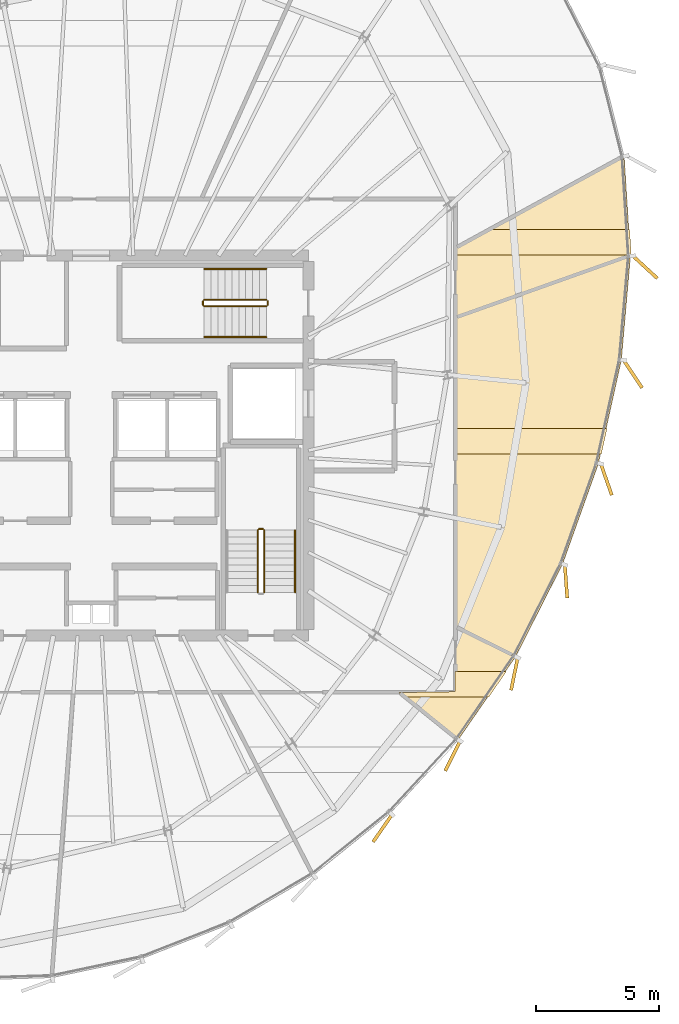
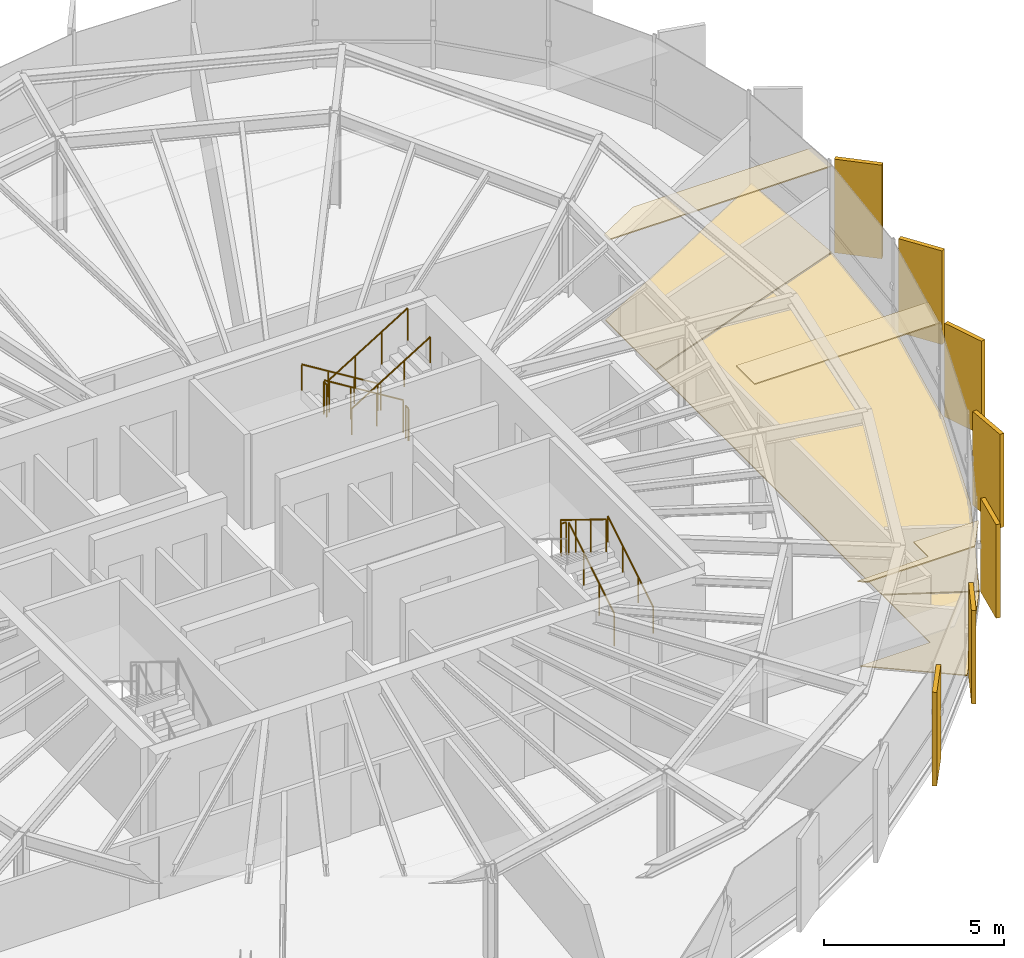
# One storey, part 35 of 36: 13 coverings, 10 railings.
"""IFC4 building model written with IfcOpenShell, lengths in metres."""

from ifc_helpers import new_model, si_unit, direction, frame, origin, origin_2d, place, context, subcontext, project, spatial, polyline, rectangle, circle, outline, extrude, source, transform, mapped, material, layer, layer_set, type_object, element, save


model = new_model("IFC4")

# Units and contexts
model_context = context("Model", 3, precision=1e-05, world=origin(), true_north=direction((0.0, 1.0)))
body_context = subcontext(model_context, "Body", "Model", "MODEL_VIEW")
ifc_project = project(units=[si_unit("LENGTHUNIT", "METRE"), si_unit("AREAUNIT", "SQUARE_METRE"), si_unit("VOLUMEUNIT", "CUBIC_METRE"), si_unit("PLANEANGLEUNIT", "RADIAN"), si_unit("MASSUNIT", "GRAM", prefix="KILO"), si_unit("THERMODYNAMICTEMPERATUREUNIT", "KELVIN")], contexts=[model_context])

# Site, building, storey
site_placement = place(None, origin())
site = spatial("IfcSite", under=ifc_project, at=site_placement, CompositionType="ELEMENT")
building_placement = place(site_placement, origin())
building = spatial("IfcBuilding", under=site, at=building_placement, Name="Kethvar Cultural Tower", CompositionType="ELEMENT")
storey_placement = place(building_placement, frame((0.0, 0.0, 242.199951171875)))
storey = spatial("IfcBuildingStorey", under=building, at=storey_placement, Name="L63", CompositionType="ELEMENT", Elevation=242.199951171875)

# Coverings
ifc_material_1 = material(Name="Acoustic Mineral Fibre Ceiling")
ifc_layer_1 = layer(ifc_material_1, 0.0400390625, Name="Acoustic Mineral Fibre Ceiling")
ifc_layer_set_1 = layer_set([ifc_layer_1], Name="Acoustic Mineral Fibre Ceiling (40 mm)")
covering_type_1 = type_object("IfcCoveringType", Name="CV-ACOUSTIC-CEIL", PredefinedType="CEILING", material=ifc_layer_set_1)
covering_1_placement = place(storey_placement, frame((0.0, 0.0, 2.89013671875)))
element("IfcCovering", 1, at=covering_1_placement, inside=storey, type_object=covering_type_1, Name="L63 Room 06 Acoustic Ceiling Panel", PredefinedType="CEILING", context=body_context, shape_type="SweptSolid", body=[
    extrude(outline(polyline([(59.260986328125, 17.79150390625), (61.5439453125, 17.826904296875), (61.5439453125, 18.650390625), (63.63232421875, 18.650390625), (62.920654296875, 17.620361328125), (59.474365234375, 17.620361328125), (59.260986328125, 17.79150390625)])), origin(), (0.0, 0.0, 1.0), 0.039794921875),
])
covering_2_placement = place(storey_placement, frame((0.0, 0.0, 2.89013671875)))
element("IfcCovering", 2, at=covering_2_placement, inside=storey, type_object=covering_type_1, Name="L63 Room 07 Acoustic Ceiling Panel", PredefinedType="CEILING", context=body_context, shape_type="SweptSolid", body=[
    extrude(outline(polyline([(67.478759765625, 27.459716796875), (61.5439453125, 27.459716796875), (61.5439453125, 28.48974609375), (67.707275390625, 28.48974609375), (67.478759765625, 27.459716796875)])), origin(), (0.0, 0.0, 1.0), 0.039794921875),
])
covering_3_placement = place(storey_placement, frame((0.0, 0.0, 2.89013671875)))
element("IfcCovering", 3, at=covering_3_placement, inside=storey, type_object=covering_type_1, Name="L63 Room 08 Acoustic Ceiling Panel", PredefinedType="CEILING", context=body_context, shape_type="SweptSolid", body=[
    extrude(outline(polyline([(61.5439453125, 35.80859375), (62.9052734375, 36.558837890625), (68.624267578125, 36.558837890625), (68.689697265625, 35.52880859375), (61.5439453125, 35.52880859375), (61.5439453125, 35.80859375)])), origin(), (0.0, 0.0, 1.0), 0.039794921875),
])
ifc_material_2 = material(Name="Honed Warm Limestone", Category="masonry")
ifc_layer_2 = layer(ifc_material_2, 0.030029296875, Name="Honed Warm Limestone", Category="masonry")
ifc_layer_set_2 = layer_set([ifc_layer_2], Name="Honed Warm Limestone (30 mm)")
covering_type_2 = type_object("IfcCoveringType", Name="CV-STONE-FLOOR", PredefinedType="FLOORING", material=ifc_layer_set_2)
covering_4_placement = place(storey_placement, origin())
element("IfcCovering", 4, at=covering_4_placement, inside=storey, type_object=covering_type_2, Name="L63 Room 06 Floor Finish", PredefinedType="FLOORING", context=body_context, shape_type="SweptSolid", body=[
    extrude(outline(polyline([(61.68408203125, 15.901123046875), (59.330322265625, 17.787109375), (61.57958984375, 17.794189453125), (61.583984375, 20.429443359375), (63.987548828125, 19.23486328125), (61.68408203125, 15.901123046875)])), origin(), (0.0, 0.0, 1.0), 0.030029296875),
])
covering_5_placement = place(storey_placement, origin())
element("IfcCovering", 5, at=covering_5_placement, inside=storey, type_object=covering_type_2, Name="L63 Room 07 Floor Finish", PredefinedType="FLOORING", context=body_context, shape_type="SweptSolid", body=[
    extrude(outline(polyline([(68.28369140625, 31.2705078125), (67.347412109375, 27.052978515625), (65.902587890625, 23.003173828125), (64.00830078125, 19.26904296875), (61.583984375, 20.47412109375), (61.583984375, 32.9755859375), (68.649658203125, 35.459228515625), (68.28369140625, 31.2705078125)])), origin(), (0.0, 0.0, 1.0), 0.030029296875),
])
covering_6_placement = place(storey_placement, origin())
element("IfcCovering", 6, at=covering_6_placement, inside=storey, type_object=covering_type_2, Name="L63 Room 08 Floor Finish", PredefinedType="FLOORING", context=body_context, shape_type="SweptSolid", body=[
    extrude(outline(polyline([(68.6513671875, 35.502197265625), (61.583984375, 33.01806640625), (61.583984375, 35.796630859375), (68.39794921875, 39.492919921875), (68.6513671875, 35.502197265625)])), origin(), (0.0, 0.0, 1.0), 0.030029296875),
])

# Railings
ifc_material_3 = material(Name="Steel S355J2", Category="steel")
railing_type_1 = type_object("IfcRailingType", Name="RL-STAIR-GUARD", PredefinedType="BALUSTRADE", material=ifc_material_3)
railing_1_placement = place(storey_placement, frame((53.81005859375, 21.85009765625, 0.172607421875)))
element("IfcRailing", 7, at=railing_1_placement, inside=storey, type_object=railing_type_1, Name="L63 ST-02 stair guard 1", PredefinedType="BALUSTRADE", context=body_context, shape_type="SweptSolid", body=[
    extrude(circle(Radius=0.02392578125, at=origin_2d()), frame((0.0, 0.0, 1.09619140625), z_axis=(0.0, 0.851400495292, 0.524516154772), x_axis=(-1.0, 0.0, 0.0)), (0.0, 0.0, 1.0), 2.9599609375),
    extrude(circle(Radius=0.02099609375, at=origin_2d()), origin(), (0.0, 0.0, 1.0), 1.072021484375),
    extrude(circle(Radius=0.02099609375, at=origin_2d()), frame((0.0, 0.840087890625, 0.517578125)), (0.0, 0.0, 1.0), 1.072021484375),
    extrude(circle(Radius=0.02099609375, at=origin_2d()), frame((0.0, 1.679931640625, 1.034912109375)), (0.0, 0.0, 1.0), 1.072021484375),
    extrude(circle(Radius=0.02099609375, at=origin_2d()), frame((0.0, 2.52001953125, 1.552490234375)), (0.0, 0.0, 1.0), 1.072021484375),
])
railing_2_placement = place(storey_placement, frame((53.760009765625, 24.419921875, 1.72509765625)))
element("IfcRailing", 8, at=railing_2_placement, inside=storey, type_object=railing_type_1, Name="L63 ST-02 stair guard 2", PredefinedType="BALUSTRADE", context=body_context, shape_type="SweptSolid", body=[
    extrude(circle(Radius=0.02392578125, at=origin_2d()), frame((0.0, 0.0, 1.09619140625), z_axis=(-1.0, 0.0, 0.0), x_axis=(0.0, -1.0, 0.0)), (0.0, 0.0, 1.0), 0.159912109375),
    extrude(circle(Radius=0.02099609375, at=origin_2d()), origin(), (0.0, 0.0, 1.0), 1.072021484375),
    extrude(circle(Radius=0.02099609375, at=origin_2d()), frame((-0.159912109375, 0.0, 0.0)), (0.0, 0.0, 1.0), 1.072021484375),
])
railing_3_placement = place(storey_placement, frame((53.550048828125, 24.3701171875, 1.8974609375)))
element("IfcRailing", 9, at=railing_3_placement, inside=storey, type_object=railing_type_1, Name="L63 ST-02 stair guard 3", PredefinedType="BALUSTRADE", context=body_context, shape_type="SweptSolid", body=[
    extrude(circle(Radius=0.02392578125, at=origin_2d()), frame((0.0, 0.0, 1.09619140625), z_axis=(0.0, -0.851400495292, 0.524516154772), x_axis=(1.0, 0.0, 0.0)), (0.0, 0.0, 1.0), 2.9599609375),
    extrude(circle(Radius=0.02099609375, at=origin_2d()), origin(), (0.0, 0.0, 1.0), 1.072021484375),
    extrude(circle(Radius=0.02099609375, at=origin_2d()), frame((0.0, -0.840087890625, 0.517578125)), (0.0, 0.0, 1.0), 1.072021484375),
    extrude(circle(Radius=0.02099609375, at=origin_2d()), frame((0.0, -1.679931640625, 1.034912109375)), (0.0, 0.0, 1.0), 1.072021484375),
    extrude(circle(Radius=0.02099609375, at=origin_2d()), frame((0.0, -2.52001953125, 1.552490234375)), (0.0, 0.0, 1.0), 1.072021484375),
])
railing_4_placement = place(storey_placement, frame((53.89990234375, 33.7099609375, 0.172607421875)))
element("IfcRailing", 10, at=railing_4_placement, inside=storey, type_object=railing_type_1, Name="L63 ST-03 stair guard 1", PredefinedType="BALUSTRADE", context=body_context, shape_type="SweptSolid", body=[
    extrude(circle(Radius=0.02392578125, at=origin_2d()), frame((0.0, 0.0, 1.09619140625), z_axis=(-0.851400495292, 0.0, 0.524516154772), x_axis=(0.0, -1.0, 0.0)), (0.0, 0.0, 1.0), 2.9599609375),
    extrude(circle(Radius=0.02099609375, at=origin_2d()), origin(), (0.0, 0.0, 1.0), 1.072021484375),
    extrude(circle(Radius=0.02099609375, at=origin_2d()), frame((-0.840087890625, 0.0, 0.517578125)), (0.0, 0.0, 1.0), 1.072021484375),
    extrude(circle(Radius=0.02099609375, at=origin_2d()), frame((-1.679931640625, 0.0, 1.034912109375)), (0.0, 0.0, 1.0), 1.072021484375),
    extrude(circle(Radius=0.02099609375, at=origin_2d()), frame((-2.52001953125, 0.0, 1.552490234375)), (0.0, 0.0, 1.0), 1.072021484375),
])
railing_5_placement = place(storey_placement, frame((51.330078125, 33.659912109375, 1.72509765625)))
element("IfcRailing", 11, at=railing_5_placement, inside=storey, type_object=railing_type_1, Name="L63 ST-03 stair guard 2", PredefinedType="BALUSTRADE", context=body_context, shape_type="SweptSolid", body=[
    extrude(circle(Radius=0.02392578125, at=origin_2d()), frame((0.0, 0.0, 1.09619140625), z_axis=(0.0, -1.0, 0.0), x_axis=(1.0, 0.0, 0.0)), (0.0, 0.0, 1.0), 0.159912109375),
    extrude(circle(Radius=0.02099609375, at=origin_2d()), origin(), (0.0, 0.0, 1.0), 1.072021484375),
    extrude(circle(Radius=0.02099609375, at=origin_2d()), frame((0.0, -0.159912109375, 0.0)), (0.0, 0.0, 1.0), 1.072021484375),
])
railing_6_placement = place(storey_placement, frame((51.3798828125, 33.449951171875, 1.8974609375)))
element("IfcRailing", 12, at=railing_6_placement, inside=storey, type_object=railing_type_1, Name="L63 ST-03 stair guard 3", PredefinedType="BALUSTRADE", context=body_context, shape_type="SweptSolid", body=[
    extrude(circle(Radius=0.02392578125, at=origin_2d()), frame((0.0, 0.0, 1.09619140625), z_axis=(0.851400495292, 0.0, 0.524516154772), x_axis=(0.0, 1.0, 0.0)), (0.0, 0.0, 1.0), 2.9599609375),
    extrude(circle(Radius=0.02099609375, at=origin_2d()), origin(), (0.0, 0.0, 1.0), 1.072021484375),
    extrude(circle(Radius=0.02099609375, at=origin_2d()), frame((0.840087890625, 0.0, 0.517578125)), (0.0, 0.0, 1.0), 1.072021484375),
    extrude(circle(Radius=0.02099609375, at=origin_2d()), frame((1.679931640625, 0.0, 1.034912109375)), (0.0, 0.0, 1.0), 1.072021484375),
    extrude(circle(Radius=0.02099609375, at=origin_2d()), frame((2.52001953125, 0.0, 1.552490234375)), (0.0, 0.0, 1.0), 1.072021484375),
])
railing_7_placement = place(storey_placement, frame((53.949951171875, 33.659912109375, 0.0)))
element("IfcRailing", 13, at=railing_7_placement, inside=storey, type_object=railing_type_1, Name="L63 ST-03 stair guard 4", PredefinedType="BALUSTRADE", context=body_context, shape_type="SweptSolid", body=[
    extrude(circle(Radius=0.02392578125, at=origin_2d()), frame((0.0, 0.0, 1.09619140625), z_axis=(0.0, -1.0, 0.0), x_axis=(1.0, 0.0, 0.0)), (0.0, 0.0, 1.0), 0.159912109375),
    extrude(circle(Radius=0.02099609375, at=origin_2d()), origin(), (0.0, 0.0, 1.0), 1.072021484375),
    extrude(circle(Radius=0.02099609375, at=origin_2d()), frame((0.0, -0.159912109375, 0.0)), (0.0, 0.0, 1.0), 1.072021484375),
])
railing_type_2 = type_object("IfcRailingType", Name="RL-STAIR-HANDRAIL", PredefinedType="HANDRAIL", material=ifc_material_3)
railing_8_placement = place(storey_placement, frame((55.06005859375, 21.85009765625, 0.172607421875)))
element("IfcRailing", 14, at=railing_8_placement, inside=storey, type_object=railing_type_2, Name="L63 ST-02 stair handrail 1", PredefinedType="HANDRAIL", context=body_context, shape_type="SweptSolid", body=[
    extrude(circle(Radius=0.02392578125, at=origin_2d()), frame((0.0, 0.0, 0.8759765625), z_axis=(0.0, 0.851400495292, 0.524516154772), x_axis=(-1.0, 0.0, 0.0)), (0.0, 0.0, 1.0), 2.9599609375),
    extrude(circle(Radius=0.02099609375, at=origin_2d()), origin(), (0.0, 0.0, 1.0), 0.851806640625),
    extrude(circle(Radius=0.02099609375, at=origin_2d()), frame((0.0, 0.840087890625, 0.517578125)), (0.0, 0.0, 1.0), 0.851806640625),
    extrude(circle(Radius=0.02099609375, at=origin_2d()), frame((0.0, 1.679931640625, 1.034912109375)), (0.0, 0.0, 1.0), 0.851806640625),
    extrude(circle(Radius=0.02099609375, at=origin_2d()), frame((0.0, 2.52001953125, 1.552490234375)), (0.0, 0.0, 1.0), 0.851806640625),
])
railing_9_placement = place(storey_placement, frame((53.89990234375, 34.9599609375, 0.172607421875)))
element("IfcRailing", 15, at=railing_9_placement, inside=storey, type_object=railing_type_2, Name="L63 ST-03 stair handrail 1", PredefinedType="HANDRAIL", context=body_context, shape_type="SweptSolid", body=[
    extrude(circle(Radius=0.02392578125, at=origin_2d()), frame((0.0, 0.0, 0.8759765625), z_axis=(-0.851400495292, 0.0, 0.524516154772), x_axis=(0.0, -1.0, 0.0)), (0.0, 0.0, 1.0), 2.9599609375),
    extrude(circle(Radius=0.02099609375, at=origin_2d()), origin(), (0.0, 0.0, 1.0), 0.851806640625),
    extrude(circle(Radius=0.02099609375, at=origin_2d()), frame((-0.840087890625, 0.0, 0.517578125)), (0.0, 0.0, 1.0), 0.851806640625),
    extrude(circle(Radius=0.02099609375, at=origin_2d()), frame((-1.679931640625, 0.0, 1.034912109375)), (0.0, 0.0, 1.0), 0.851806640625),
    extrude(circle(Radius=0.02099609375, at=origin_2d()), frame((-2.52001953125, 0.0, 1.552490234375)), (0.0, 0.0, 1.0), 0.851806640625),
])
railing_10_placement = place(storey_placement, frame((51.3798828125, 32.199951171875, 1.8974609375)))
element("IfcRailing", 16, at=railing_10_placement, inside=storey, type_object=railing_type_2, Name="L63 ST-03 stair handrail 2", PredefinedType="HANDRAIL", context=body_context, shape_type="SweptSolid", body=[
    extrude(circle(Radius=0.02392578125, at=origin_2d()), frame((0.0, 0.0, 0.8759765625), z_axis=(0.851400495292, 0.0, 0.524516154772), x_axis=(0.0, 1.0, 0.0)), (0.0, 0.0, 1.0), 2.9599609375),
    extrude(circle(Radius=0.02099609375, at=origin_2d()), origin(), (0.0, 0.0, 1.0), 0.851806640625),
    extrude(circle(Radius=0.02099609375, at=origin_2d()), frame((0.840087890625, 0.0, 0.517578125)), (0.0, 0.0, 1.0), 0.851806640625),
    extrude(circle(Radius=0.02099609375, at=origin_2d()), frame((1.679931640625, 0.0, 1.034912109375)), (0.0, 0.0, 1.0), 0.851806640625),
    extrude(circle(Radius=0.02099609375, at=origin_2d()), frame((2.52001953125, 0.0, 1.552490234375)), (0.0, 0.0, 1.0), 0.851806640625),
])

# Coverings
ifc_material_4 = material(Name="Extruded Architectural Terracotta", Category="masonry")
ifc_layer_3 = layer(ifc_material_4, 0.135009765625, Name="Extruded Architectural Terracotta", Category="masonry")
ifc_layer_set_3 = layer_set([ifc_layer_3], Name="Extruded Architectural Terracotta (135 mm)")
covering_type_3 = type_object("IfcCoveringType", Name="Terracotta Facade Fin FIN-03", PredefinedType="CLADDING", material=ifc_layer_set_3)
shared_shape = source(origin(), body_context, "Body", "SweptSolid", [
    extrude(rectangle(XDim=1.35009765625, YDim=0.135009765625, at=origin_2d()), origin(), (0.0, 0.0, 1.0), 3.169921875),
])
for number, where, z_axis, x_axis, name in (
    (17, (58.60888671875, 12.291015625, 0.02001953125), (0.0, 0.0, 1.0), (-0.570713567684, -0.821149209134, 0.0), "L63 Vertical Terracotta Fin 5.3"),
    (18, (61.451416015625, 15.223388671875, 0.02001953125), (0.0, 0.0, 1.0), (-0.44838321609, -0.893841424151, 0.0), "L63 Vertical Terracotta Fin 5.4"),
    (19, (63.952392578125, 18.544921875, 0.02001953125), (0.0, 0.0, 1.0), (-0.20159079796, -0.979469831173, 0.0), "L63 Vertical Terracotta Fin 5.5"),
    (20, (66.044677734375, 22.295166015625, 0.02001953125), (0.0, 0.0, 1.0), (0.071845612485, -0.997415764848, 0.0), "L63 Vertical Terracotta Fin 5.6"),
    (21, (67.676513671875, 26.428466796875, 0.02001953125), (0.0, 0.0, 1.0), (0.331831864835, -0.943338546589, 0.0), "L63 Vertical Terracotta Fin 6.1"),
    (22, (68.7568359375, 30.698486328125, 0.02001953125), (0.0, 0.0, 1.0), (0.553682259884, -0.832728019878, 0.0), "L63 Vertical Terracotta Fin 6.2"),
    (23, (69.248779296875, 35.036376953125, 0.02001953125), (0.0, 0.0, 1.0), (0.735742574804, -0.677261296414, 0.0), "L63 Vertical Terracotta Fin 6.3"),
):
    element("IfcCovering", number, at=place(storey_placement, frame(where, z_axis=z_axis, x_axis=x_axis)), inside=storey, type_object=covering_type_3, Name=name, PredefinedType="CLADDING", context=body_context, shape_type="MappedRepresentation", body=[
        mapped(shared_shape, transform((0.0, 0.0, 0.0), scale=1.0)),
    ])

save(model, "model.ifc")
